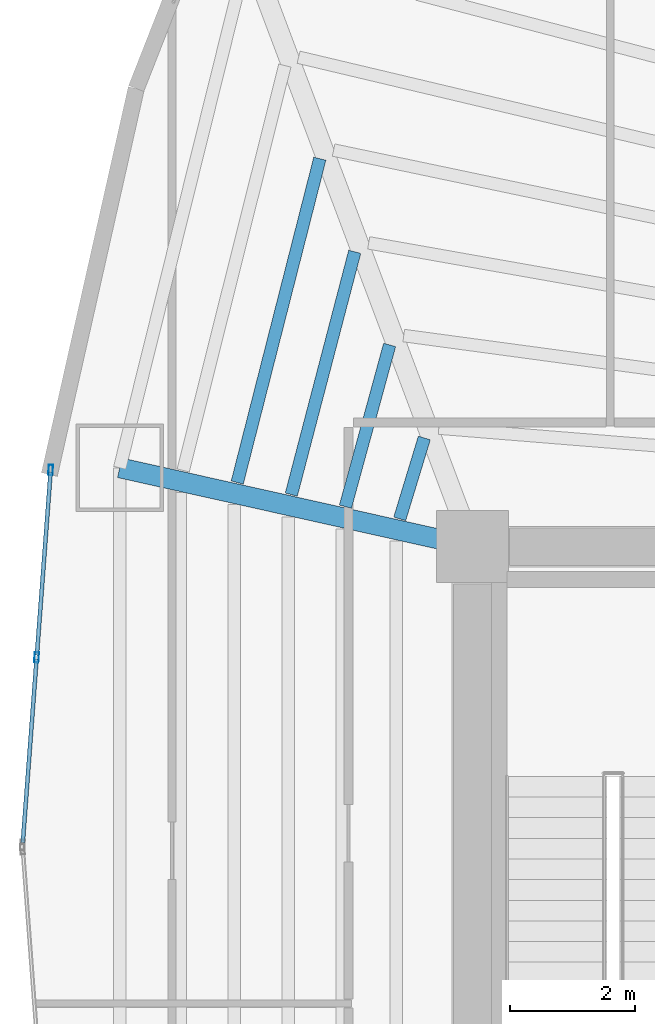
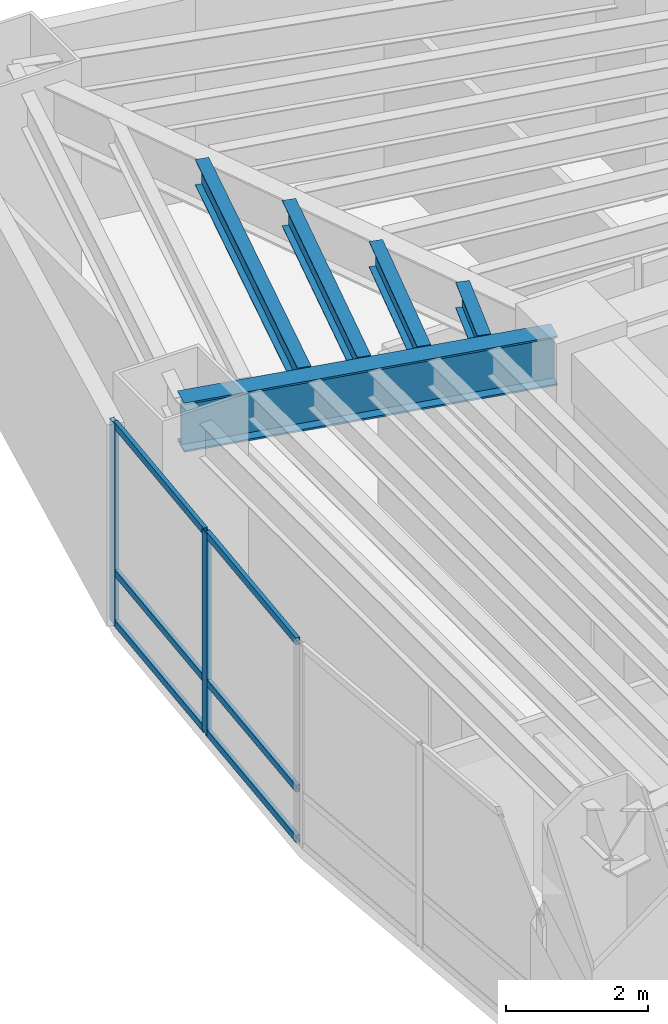
# One storey, part 7 of 17: 8 members, 5 beams, 1 element without a shape of its own.
"""IFC4 building model written with IfcOpenShell, lengths in metres."""

from ifc_helpers import new_model, si_unit, direction, frame, origin, origin_2d, place, context, subcontext, project, spatial, hollow_rectangle, i_section, extrude, material, layer, layer_set, material_profile, profile_set, type_object, element, aggregate, save


model = new_model("IFC4")

# Units and contexts
model_context = context("Model", 3, precision=1e-05, world=origin(), true_north=direction((0.0, 1.0)))
body_context = subcontext(model_context, "Body", "Model", "MODEL_VIEW")
ifc_project = project(units=[si_unit("LENGTHUNIT", "METRE"), si_unit("AREAUNIT", "SQUARE_METRE"), si_unit("VOLUMEUNIT", "CUBIC_METRE"), si_unit("PLANEANGLEUNIT", "RADIAN"), si_unit("MASSUNIT", "GRAM", prefix="KILO")], contexts=[model_context])

# Site, building, storey
site_placement = place(None, origin())
site = spatial("IfcSite", under=ifc_project, at=site_placement, CompositionType="ELEMENT")
building_placement = place(site_placement, origin())
building = spatial("IfcBuilding", under=site, at=building_placement, Name="Menara Vayukalpa", CompositionType="ELEMENT")
storey_placement = place(building_placement, frame((0.0, 0.0, 49.919921875)))
storey = spatial("IfcBuildingStorey", under=building, at=storey_placement, Name="L11", CompositionType="ELEMENT", Elevation=49.919921875)

# Beams
ifc_material_1 = material(Name="Steel S355", Category="steel")
ifc_material_profile_1 = material_profile(ifc_material_1, i_section(OverallWidth=0.320068359375, OverallDepth=0.85009765625, WebThickness=0.01611328125, FlangeThickness=0.030029296875, at=origin_2d()), Name="WF 850x320x16x30")
ifc_profile_set_1 = profile_set([ifc_material_profile_1], Name="Steel S355")
beam_type_1 = type_object("IfcBeamType", Name="BM-PG2", PredefinedType="BEAM", material=ifc_profile_set_1)
beam_1_placement = place(storey_placement, frame((17.555908203125, 26.8544921875, 3.045166015625), z_axis=(-0.975920137818, 0.218128138031, 0.0), x_axis=(-0.218128138031, -0.975920137818, 0.0)))
element("IfcBeam", 1, at=beam_1_placement, inside=storey, type_object=beam_type_1, Name="L11 Primary Radial Girder RG05", PredefinedType="BEAM", context=body_context, shape_type="SweptSolid", body=[
    extrude(i_section(OverallWidth=0.320068359375, OverallDepth=0.85009765625, WebThickness=0.01611328125, FlangeThickness=0.030029296875, at=origin_2d()), origin(), (0.0, 0.0, 1.0), 5.524658203125),
])
ifc_material_2 = material(Name="Steel S355", Category="steel")
ifc_material_profile_2 = material_profile(ifc_material_2, i_section(OverallWidth=0.199951171875, OverallDepth=0.449951171875, WebThickness=0.009033203125, FlangeThickness=0.013916015625, at=origin_2d()), Name="WF 450x200x9x14")
ifc_profile_set_2 = profile_set([ifc_material_profile_2], Name="Steel S355")
beam_type_2 = type_object("IfcBeamType", Name="BM-SJ1", PredefinedType="JOIST", material=ifc_profile_set_2)
beam_2_placement = place(storey_placement, frame((17.03076171875, 28.535888671875, 3.2451171875), z_axis=(-0.291010568606, -0.956719838281, 0.0), x_axis=(0.956719838281, -0.291010568606, 0.0)))
element("IfcBeam", 2, at=beam_2_placement, inside=storey, type_object=beam_type_2, Name="L11 Secondary Floor Joist SJ04-1", PredefinedType="JOIST", context=body_context, shape_type="SweptSolid", body=[
    extrude(i_section(OverallWidth=0.199951171875, OverallDepth=0.449951171875, WebThickness=0.009033203125, FlangeThickness=0.013916015625, at=origin_2d()), origin(), (0.0, 0.0, 1.0), 1.3505859375),
])
beam_3_placement = place(storey_placement, frame((16.4765625, 30.0224609375, 3.2451171875), z_axis=(-0.263618546233, -0.964627006714, 0.0), x_axis=(0.964627006714, -0.263618546233, 0.0)))
element("IfcBeam", 3, at=beam_3_placement, inside=storey, type_object=beam_type_2, Name="L11 Secondary Floor Joist SJ04-2", PredefinedType="JOIST", context=body_context, shape_type="SweptSolid", body=[
    extrude(i_section(OverallWidth=0.199951171875, OverallDepth=0.449951171875, WebThickness=0.009033203125, FlangeThickness=0.013916015625, at=origin_2d()), origin(), (0.0, 0.0, 1.0), 2.67919921875),
])
beam_4_placement = place(storey_placement, frame((15.919189453125, 31.510009765625, 3.2451171875), z_axis=(-0.25283833468, -0.967508540798, 0.0), x_axis=(0.967508540798, -0.25283833468, 0.0)))
element("IfcBeam", 4, at=beam_4_placement, inside=storey, type_object=beam_type_2, Name="L11 Secondary Floor Joist SJ04-3", PredefinedType="JOIST", context=body_context, shape_type="SweptSolid", body=[
    extrude(i_section(OverallWidth=0.199951171875, OverallDepth=0.449951171875, WebThickness=0.009033203125, FlangeThickness=0.013916015625, at=origin_2d()), origin(), (0.0, 0.0, 1.0), 4.00927734375),
])
beam_5_placement = place(storey_placement, frame((15.361328125, 32.997802734375, 3.2451171875), z_axis=(-0.247105572938, -0.968988563309, 0.0), x_axis=(0.968988563309, -0.247105572938, 0.0)))
element("IfcBeam", 5, at=beam_5_placement, inside=storey, type_object=beam_type_2, Name="L11 Secondary Floor Joist SJ04-4", PredefinedType="JOIST", context=body_context, shape_type="SweptSolid", body=[
    extrude(i_section(OverallWidth=0.199951171875, OverallDepth=0.449951171875, WebThickness=0.009033203125, FlangeThickness=0.013916015625, at=origin_2d()), origin(), (0.0, 0.0, 1.0), 5.339111328125),
])

# Curtain wall, members
ifc_material_3 = material(Name="Anodised Terracotta Aluminium Alloy 6063-T6", Category="masonry")
ifc_layer = layer(ifc_material_3, 0.1650390625)
ifc_layer_set = layer_set([ifc_layer], Name="Anodised Terracotta Aluminium Alloy 6063-T6")
curtain_wall_type = type_object("IfcCurtainWallType", Name="CW-CW2", PredefinedType="USERDEFINED", material=ifc_layer_set)
curtain_wall_placement = place(storey_placement, origin())
curtain_wall = element("IfcCurtainWall", 6, at=curtain_wall_placement, inside=storey, type_object=curtain_wall_type, Name="L11 Low Rise Terracotta Ribbon Curtain Wall CW2 10", ObjectType="UNITISED", PredefinedType="USERDEFINED")
ifc_material_4 = material(Name="Anodised Terracotta Aluminium Alloy 6063-T6", Category="masonry")
ifc_material_profile_3 = material_profile(ifc_material_4, hollow_rectangle(XDim=0.070068359375, YDim=0.1650390625, WallThickness=0.00390625, at=origin_2d()), Name="ALU 70x165x4")
ifc_profile_set_3 = profile_set([ifc_material_profile_3], Name="Anodised Terracotta Aluminium Alloy 6063-T6")
member_type_1 = type_object("IfcMemberType", Name="CWM-CW2", PredefinedType="MULLION", material=ifc_profile_set_3)
member_1_placement = place(storey_placement, frame((11.0615234375, 28.024658203125, 0.0), z_axis=(0.0, 0.0, 1.0), x_axis=(0.997198941676, -0.074794857576, 0.0)))
member_1 = element("IfcMember", 7, at=member_1_placement, type_object=member_type_1, Name="CW2 mullion 1", PredefinedType="MULLION", context=body_context, shape_type="SweptSolid", body=[
    extrude(hollow_rectangle(XDim=0.070068359375, YDim=0.1650390625, WallThickness=0.00390625, at=origin_2d()), origin(), (0.0, 0.0, 1.0), 3.469970703125),
])
member_2_placement = place(storey_placement, frame((10.8369140625, 25.02978515625, 0.0), z_axis=(0.0, 0.0, 1.0), x_axis=(0.997198941676, -0.074794857576, 0.0)))
member_2 = element("IfcMember", 8, at=member_2_placement, type_object=member_type_1, Name="CW2 mullion 2", PredefinedType="MULLION", context=body_context, shape_type="SweptSolid", body=[
    extrude(hollow_rectangle(XDim=0.070068359375, YDim=0.1650390625, WallThickness=0.00390625, at=origin_2d()), origin(), (0.0, 0.0, 1.0), 3.469970703125),
])
ifc_material_5 = material(Name="Anodised Terracotta Aluminium Alloy 6063-T6", Category="masonry")
ifc_material_profile_4 = material_profile(ifc_material_5, hollow_rectangle(XDim=0.06494140625, YDim=0.1201171875, WallThickness=0.00341796875, at=origin_2d()), Name="ALU 65x120x3.5")
ifc_profile_set_4 = profile_set([ifc_material_profile_4], Name="Anodised Terracotta Aluminium Alloy 6063-T6")
member_type_2 = type_object("IfcMemberType", Name="CWT-CW2", PredefinedType="USERDEFINED", material=ifc_profile_set_4)
member_3_placement = place(storey_placement, frame((11.05908203125, 27.98974609375, 0.032470703125), z_axis=(-0.074825123723, -0.997196671103, 0.0), x_axis=(0.997196671103, -0.074825123723, 0.0)))
member_3 = element("IfcMember", 9, at=member_3_placement, type_object=member_type_2, Name="CW2 transom 1.1", ObjectType="TRANSOM", PredefinedType="USERDEFINED", context=body_context, shape_type="SweptSolid", body=[
    extrude(hollow_rectangle(XDim=0.06494140625, YDim=0.1201171875, WallThickness=0.00341796875, at=origin_2d()), origin(), (0.0, 0.0, 1.0), 2.933349609375),
])
member_4_placement = place(storey_placement, frame((11.05908203125, 27.98974609375, 0.900146484375), z_axis=(-0.074825123723, -0.997196671103, 0.0), x_axis=(0.997196671103, -0.074825123723, 0.0)))
member_4 = element("IfcMember", 10, at=member_4_placement, type_object=member_type_2, Name="CW2 transom 1.2", ObjectType="TRANSOM", PredefinedType="USERDEFINED", context=body_context, shape_type="SweptSolid", body=[
    extrude(hollow_rectangle(XDim=0.06494140625, YDim=0.1201171875, WallThickness=0.00341796875, at=origin_2d()), origin(), (0.0, 0.0, 1.0), 2.933349609375),
])
member_5_placement = place(storey_placement, frame((11.05908203125, 27.98974609375, 3.4375), z_axis=(-0.074825123723, -0.997196671103, 0.0), x_axis=(0.997196671103, -0.074825123723, 0.0)))
member_5 = element("IfcMember", 11, at=member_5_placement, type_object=member_type_2, Name="CW2 transom 1.3", ObjectType="TRANSOM", PredefinedType="USERDEFINED", context=body_context, shape_type="SweptSolid", body=[
    extrude(hollow_rectangle(XDim=0.06494140625, YDim=0.1201171875, WallThickness=0.00341796875, at=origin_2d()), origin(), (0.0, 0.0, 1.0), 2.933349609375),
])
member_6_placement = place(storey_placement, frame((10.834228515625, 24.994873046875, 0.032470703125), z_axis=(-0.074742357441, -0.997202878057, 0.0), x_axis=(0.997202878057, -0.074742357441, 0.0)))
member_6 = element("IfcMember", 12, at=member_6_placement, type_object=member_type_2, Name="CW2 transom 2.1", ObjectType="TRANSOM", PredefinedType="USERDEFINED", context=body_context, shape_type="SweptSolid", body=[
    extrude(hollow_rectangle(XDim=0.06494140625, YDim=0.1201171875, WallThickness=0.00341796875, at=origin_2d()), origin(), (0.0, 0.0, 1.0), 2.933349609375),
])
member_7_placement = place(storey_placement, frame((10.834228515625, 24.994873046875, 0.900146484375), z_axis=(-0.074742357441, -0.997202878057, 0.0), x_axis=(0.997202878057, -0.074742357441, 0.0)))
member_7 = element("IfcMember", 13, at=member_7_placement, type_object=member_type_2, Name="CW2 transom 2.2", ObjectType="TRANSOM", PredefinedType="USERDEFINED", context=body_context, shape_type="SweptSolid", body=[
    extrude(hollow_rectangle(XDim=0.06494140625, YDim=0.1201171875, WallThickness=0.00341796875, at=origin_2d()), origin(), (0.0, 0.0, 1.0), 2.933349609375),
])
member_8_placement = place(storey_placement, frame((10.834228515625, 24.994873046875, 3.4375), z_axis=(-0.074742357441, -0.997202878057, 0.0), x_axis=(0.997202878057, -0.074742357441, 0.0)))
member_8 = element("IfcMember", 14, at=member_8_placement, type_object=member_type_2, Name="CW2 transom 2.3", ObjectType="TRANSOM", PredefinedType="USERDEFINED", context=body_context, shape_type="SweptSolid", body=[
    extrude(hollow_rectangle(XDim=0.06494140625, YDim=0.1201171875, WallThickness=0.00341796875, at=origin_2d()), origin(), (0.0, 0.0, 1.0), 2.933349609375),
])
aggregate(curtain_wall, [member_1, member_2, member_3, member_4, member_5, member_6, member_7, member_8])

save(model, "model.ifc")
